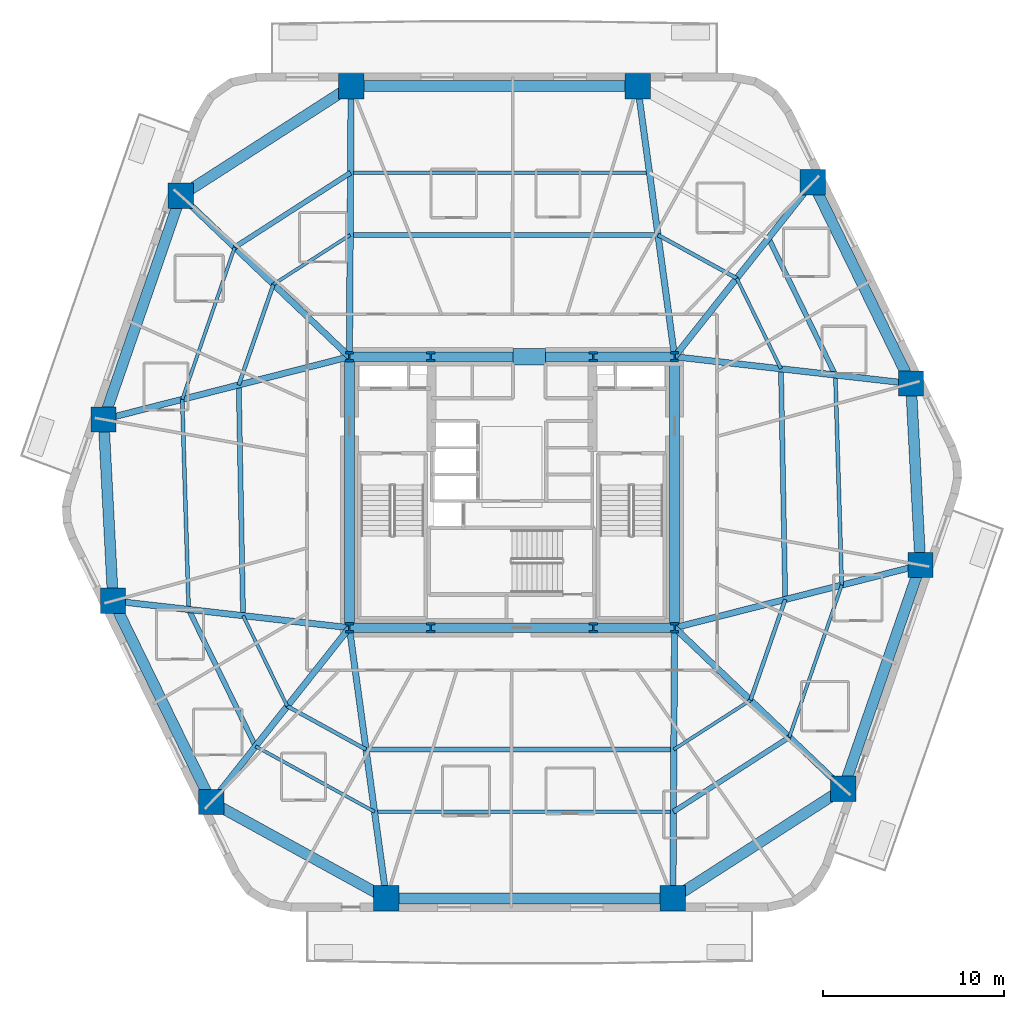
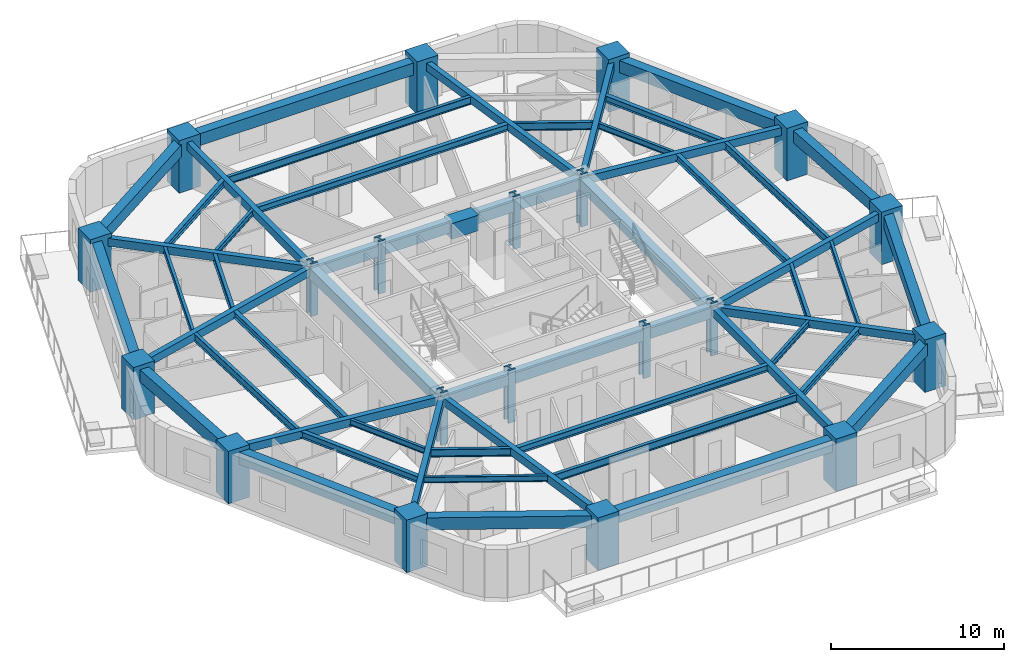
# One storey, part 1 of 11: 55 beams, 20 columns.
"""IFC4 building model written with IfcOpenShell, lengths in metres."""

from ifc_helpers import new_model, si_unit, direction, frame, origin, origin_2d, place, context, subcontext, project, spatial, rectangle, i_section, extrude, material, material_profile, profile_set, type_object, element, save


model = new_model("IFC4")

# Units and contexts
model_context = context("Model", 3, precision=1e-05, world=origin(), true_north=direction((0.0, 1.0)))
body_context = subcontext(model_context, "Body", "Model", "MODEL_VIEW")
ifc_project = project(units=[si_unit("LENGTHUNIT", "METRE"), si_unit("AREAUNIT", "SQUARE_METRE"), si_unit("VOLUMEUNIT", "CUBIC_METRE"), si_unit("PLANEANGLEUNIT", "RADIAN"), si_unit("MASSUNIT", "GRAM", prefix="KILO")], contexts=[model_context])

# Site, building, storey
site_placement = place(None, origin())
site = spatial("IfcSite", under=ifc_project, at=site_placement, CompositionType="ELEMENT")
building_placement = place(site_placement, origin())
building = spatial("IfcBuilding", under=site, at=building_placement, Name="Kilnhurst Terrace Hotel", CompositionType="ELEMENT")
storey_placement = place(building_placement, frame((0.0, 0.0, 41.60009765625)))
storey = spatial("IfcBuildingStorey", under=building, at=storey_placement, Name="L08", CompositionType="ELEMENT", Elevation=41.60009765625)

# Columns
ifc_material_1 = material(Name="Concrete C80/95", Category="concrete")
ifc_material_profile_1 = material_profile(ifc_material_1, rectangle(XDim=1.39990234375, YDim=1.39990234375, at=origin_2d()), Name="RC1400X1400")
ifc_profile_set_1 = profile_set([ifc_material_profile_1], Name="Concrete C80/95")
column_type_1 = type_object("IfcColumnType", Name="COL-RC-1400", PredefinedType="COLUMN", material=ifc_profile_set_1)
for number, where, z_axis, x_axis, name in (
    (1, (-6.955078125, -22.47998046875, 0.0), (0.0, 0.0, 1.0), (1.0, 0.0, 0.0), "L08 Structural Column PC-F11"),
    (2, (8.905029296875, -22.47998046875, 0.0), (0.0, 0.0, 1.0), (1.0, 0.0, 0.0), "L08 Structural Column PC-F12"),
    (3, (18.337890625, -16.410888671875, 0.0), (0.0, 0.0, 1.0), (1.0, 0.0, 0.0), "L08 Structural Column PC-F21"),
    (4, (22.60888671875, -4.029052734375, 0.0), (0.0, 0.0, 1.0), (1.0, 0.0, 0.0), "L08 Structural Column PC-F22"),
    (5, (22.083984375, 6.013916015625, 0.0), (0.0, 0.0, 1.0), (1.0, 0.0, 0.0), "L08 Structural Column PC-F31"),
    (6, (16.64306640625, 17.152099609375, 0.0), (0.0, 0.0, 1.0), (1.0, 0.0, 0.0), "L08 Structural Column PC-F32"),
    (7, (6.955078125, 22.47998046875, 0.0), (0.0, 0.0, 1.0), (1.0, 0.0, 0.0), "L08 Structural Column PC-F41"),
    (8, (-8.905029296875, 22.47998046875, 0.0), (0.0, 0.0, 1.0), (1.0, 0.0, 0.0), "L08 Structural Column PC-F42"),
    (9, (-18.337890625, 16.410888671875, 0.0), (0.0, 0.0, 1.0), (1.0, 0.0, 0.0), "L08 Structural Column PC-F51"),
    (10, (-22.60888671875, 4.029052734375, 0.0), (0.0, 0.0, 1.0), (1.0, 0.0, 0.0), "L08 Structural Column PC-F52"),
    (11, (-22.083984375, -6.013916015625, 0.0), (0.0, 0.0, 1.0), (1.0, 0.0, 0.0), "L08 Structural Column PC-F61"),
    (12, (-16.64306640625, -17.152099609375, 0.0), (0.0, 0.0, 1.0), (1.0, 0.0, 0.0), "L08 Structural Column PC-F62"),
):
    element("IfcColumn", number, at=place(storey_placement, frame(where, z_axis=z_axis, x_axis=x_axis)), inside=storey, type_object=column_type_1, Name=name, PredefinedType="COLUMN", context=body_context, shape_type="SweptSolid", body=[
        extrude(rectangle(XDim=1.39990234375, YDim=1.39990234375, at=origin_2d()), origin(), (0.0, 0.0, 1.0), 3.699951171875),
    ])
ifc_material_2 = material(Name="Steel ASTM A992 Grade 50", Category="steel")
ifc_material_profile_2 = material_profile(ifc_material_2, i_section(OverallWidth=0.454345703125, OverallDepth=0.569091796875, WebThickness=0.077880859375, FlangeThickness=0.124755859375, at=origin_2d()), Name="W14X730")
ifc_profile_set_2 = profile_set([ifc_material_profile_2], Name="Steel ASTM A992 Grade 50")
column_type_2 = type_object("IfcColumnType", Name="COL-STL-W14X730", PredefinedType="COLUMN", material=ifc_profile_set_2)
for number, where, z_axis, x_axis, name in (
    (13, (-9.0, -7.5, 0.0), (0.0, 0.0, 1.0), (1.0, 0.0, 0.0), "L08 Structural Column CC-SW"),
    (14, (-4.5, -7.5, 0.0), (0.0, 0.0, 1.0), (1.0, 0.0, 0.0), "L08 Structural Column CC-SC1"),
    (15, (4.5, -7.5, 0.0), (0.0, 0.0, 1.0), (1.0, 0.0, 0.0), "L08 Structural Column CC-SC2"),
    (16, (9.0, -7.5, 0.0), (0.0, 0.0, 1.0), (1.0, 0.0, 0.0), "L08 Structural Column CC-SE"),
    (17, (9.0, 7.5, 0.0), (0.0, 0.0, 1.0), (1.0, 0.0, 0.0), "L08 Structural Column CC-NE"),
    (18, (4.5, 7.5, 0.0), (0.0, 0.0, 1.0), (1.0, 0.0, 0.0), "L08 Structural Column CC-NC2"),
    (19, (-4.5, 7.5, 0.0), (0.0, 0.0, 1.0), (1.0, 0.0, 0.0), "L08 Structural Column CC-NC1"),
    (20, (-9.0, 7.5, 0.0), (0.0, 0.0, 1.0), (1.0, 0.0, 0.0), "L08 Structural Column CC-NW"),
):
    element("IfcColumn", number, at=place(storey_placement, frame(where, z_axis=z_axis, x_axis=x_axis)), inside=storey, type_object=column_type_2, Name=name, PredefinedType="COLUMN", context=body_context, shape_type="SweptSolid", body=[
        extrude(i_section(OverallWidth=0.454345703125, OverallDepth=0.569091796875, WebThickness=0.077880859375, FlangeThickness=0.124755859375, at=origin_2d()), origin(), (0.0, 0.0, 1.0), 3.699951171875),
    ])

# Beams
ifc_material_3 = material(Name="Concrete C50/60", Category="concrete")
ifc_material_profile_3 = material_profile(ifc_material_3, rectangle(XDim=0.35009765625, YDim=0.550048828125, at=origin_2d()), Name="RC350X550")
ifc_profile_set_3 = profile_set([ifc_material_profile_3], Name="Concrete C50/60")
beam_type_1 = type_object("IfcBeamType", Name="BM-RAD-350X550", PredefinedType="BEAM", material=ifc_profile_set_3)
beam_1_placement = place(storey_placement, frame((-9.0, -7.5, 3.125), z_axis=(0.13525588246, -0.990810701527, 0.0), x_axis=(0.990810701527, 0.13525588246, 0.0)))
element("IfcBeam", 21, at=beam_1_placement, inside=storey, type_object=beam_type_1, Name="L08 Radial Floor Beam 1", PredefinedType="BEAM", context=body_context, shape_type="SweptSolid", body=[
    extrude(rectangle(XDim=0.35009765625, YDim=0.550048828125, at=origin_2d()), origin(), (0.0, 0.0, 1.0), 15.118896484375),
])
beam_2_placement = place(storey_placement, frame((9.0, -7.5, 3.125), z_axis=(-0.006339714179, -0.99997990381, 0.0), x_axis=(0.99997990381, -0.006339714179, 0.0)))
element("IfcBeam", 22, at=beam_2_placement, inside=storey, type_object=beam_type_1, Name="L08 Radial Floor Beam 2", PredefinedType="BEAM", context=body_context, shape_type="SweptSolid", body=[
    extrude(rectangle(XDim=0.35009765625, YDim=0.550048828125, at=origin_2d()), origin(), (0.0, 0.0, 1.0), 14.980224609375),
])
beam_3_placement = place(storey_placement, frame((9.0, -7.5, 3.125), z_axis=(0.723454302813, -0.690372270403, 0.0), x_axis=(0.690372270403, 0.723454302813, 0.0)))
element("IfcBeam", 23, at=beam_3_placement, inside=storey, type_object=beam_type_1, Name="L08 Radial Floor Beam 3", PredefinedType="BEAM", context=body_context, shape_type="SweptSolid", body=[
    extrude(rectangle(XDim=0.35009765625, YDim=0.550048828125, at=origin_2d()), origin(), (0.0, 0.0, 1.0), 12.907470703125),
])
beam_4_placement = place(storey_placement, frame((9.0, -7.5, 3.125), z_axis=(0.968980179812, 0.247138445273, 0.0), x_axis=(-0.247138445273, 0.968980179812, 0.0)))
element("IfcBeam", 24, at=beam_4_placement, inside=storey, type_object=beam_type_1, Name="L08 Radial Floor Beam 4", PredefinedType="BEAM", context=body_context, shape_type="SweptSolid", body=[
    extrude(rectangle(XDim=0.35009765625, YDim=0.550048828125, at=origin_2d()), origin(), (0.0, 0.0, 1.0), 14.04443359375),
])
beam_5_placement = place(storey_placement, frame((9.0, 7.5, 3.125), z_axis=(0.993611493249, -0.112854776075, 0.0), x_axis=(0.112854776075, 0.993611493249, 0.0)))
element("IfcBeam", 25, at=beam_5_placement, inside=storey, type_object=beam_type_1, Name="L08 Radial Floor Beam 5", PredefinedType="BEAM", context=body_context, shape_type="SweptSolid", body=[
    extrude(rectangle(XDim=0.35009765625, YDim=0.550048828125, at=origin_2d()), origin(), (0.0, 0.0, 1.0), 13.168212890625),
])
beam_6_placement = place(storey_placement, frame((9.0, 7.5, 3.125), z_axis=(0.62079385707, 0.783973843329, 0.0), x_axis=(-0.783973843329, 0.62079385707, 0.0)))
element("IfcBeam", 26, at=beam_6_placement, inside=storey, type_object=beam_type_1, Name="L08 Radial Floor Beam 6", PredefinedType="BEAM", context=body_context, shape_type="SweptSolid", body=[
    extrude(rectangle(XDim=0.35009765625, YDim=0.550048828125, at=origin_2d()), origin(), (0.0, 0.0, 1.0), 12.311767578125),
])
beam_7_placement = place(storey_placement, frame((9.0, 7.5, 3.125), z_axis=(-0.13525588246, 0.990810701527, 0.0), x_axis=(-0.990810701527, -0.13525588246, 0.0)))
element("IfcBeam", 27, at=beam_7_placement, inside=storey, type_object=beam_type_1, Name="L08 Radial Floor Beam 7", PredefinedType="BEAM", context=body_context, shape_type="SweptSolid", body=[
    extrude(rectangle(XDim=0.35009765625, YDim=0.550048828125, at=origin_2d()), origin(), (0.0, 0.0, 1.0), 15.118896484375),
])
beam_8_placement = place(storey_placement, frame((-9.0, 7.5, 3.125), z_axis=(0.006339714179, 0.99997990381, 0.0), x_axis=(-0.99997990381, 0.006339714179, 0.0)))
element("IfcBeam", 28, at=beam_8_placement, inside=storey, type_object=beam_type_1, Name="L08 Radial Floor Beam 8", PredefinedType="BEAM", context=body_context, shape_type="SweptSolid", body=[
    extrude(rectangle(XDim=0.35009765625, YDim=0.550048828125, at=origin_2d()), origin(), (0.0, 0.0, 1.0), 14.980224609375),
])
beam_9_placement = place(storey_placement, frame((-9.0, 7.5, 3.125), z_axis=(-0.723454302813, 0.690372270403, 0.0), x_axis=(-0.690372270403, -0.723454302813, 0.0)))
element("IfcBeam", 29, at=beam_9_placement, inside=storey, type_object=beam_type_1, Name="L08 Radial Floor Beam 9", PredefinedType="BEAM", context=body_context, shape_type="SweptSolid", body=[
    extrude(rectangle(XDim=0.35009765625, YDim=0.550048828125, at=origin_2d()), origin(), (0.0, 0.0, 1.0), 12.907470703125),
])
beam_10_placement = place(storey_placement, frame((-9.0, 7.5, 3.125), z_axis=(-0.968980179812, -0.247138445273, 0.0), x_axis=(0.247138445273, -0.968980179812, 0.0)))
element("IfcBeam", 30, at=beam_10_placement, inside=storey, type_object=beam_type_1, Name="L08 Radial Floor Beam 10", PredefinedType="BEAM", context=body_context, shape_type="SweptSolid", body=[
    extrude(rectangle(XDim=0.35009765625, YDim=0.550048828125, at=origin_2d()), origin(), (0.0, 0.0, 1.0), 14.04443359375),
])
beam_11_placement = place(storey_placement, frame((-9.0, -7.5, 3.125), z_axis=(-0.993611493249, 0.112854776075, 0.0), x_axis=(-0.112854776075, -0.993611493249, 0.0)))
element("IfcBeam", 31, at=beam_11_placement, inside=storey, type_object=beam_type_1, Name="L08 Radial Floor Beam 11", PredefinedType="BEAM", context=body_context, shape_type="SweptSolid", body=[
    extrude(rectangle(XDim=0.35009765625, YDim=0.550048828125, at=origin_2d()), origin(), (0.0, 0.0, 1.0), 13.168212890625),
])
beam_12_placement = place(storey_placement, frame((-9.0, -7.5, 3.125), z_axis=(-0.62079385707, -0.783973843329, 0.0), x_axis=(0.783973843329, -0.62079385707, 0.0)))
element("IfcBeam", 32, at=beam_12_placement, inside=storey, type_object=beam_type_1, Name="L08 Radial Floor Beam 12", PredefinedType="BEAM", context=body_context, shape_type="SweptSolid", body=[
    extrude(rectangle(XDim=0.35009765625, YDim=0.550048828125, at=origin_2d()), origin(), (0.0, 0.0, 1.0), 12.311767578125),
])
ifc_material_profile_4 = material_profile(ifc_material_3, rectangle(XDim=0.550048828125, YDim=0.75, at=origin_2d()), Name="RC550X750")
ifc_profile_set_4 = profile_set([ifc_material_profile_4], Name="Concrete C50/60")
beam_type_2 = type_object("IfcBeamType", Name="BM-SPN-550X750", PredefinedType="SPANDREL", material=ifc_profile_set_4)
beam_13_placement = place(storey_placement, frame((-9.0, 7.5, 3.02490234375), z_axis=(1.0, 0.0, 0.0), x_axis=(0.0, 1.0, 0.0)))
element("IfcBeam", 33, at=beam_13_placement, inside=storey, type_object=beam_type_2, Name="L08 Core Tie Beam CC-NW to CC-NC1", PredefinedType="SPANDREL", context=body_context, shape_type="SweptSolid", body=[
    extrude(rectangle(XDim=0.550048828125, YDim=0.75, at=origin_2d()), origin(), (0.0, 0.0, 1.0), 4.5),
])
beam_14_placement = place(storey_placement, frame((-4.5, 7.5, 3.02490234375), z_axis=(1.0, 0.0, 0.0), x_axis=(0.0, 1.0, 0.0)))
element("IfcBeam", 34, at=beam_14_placement, inside=storey, type_object=beam_type_2, Name="L08 Core Tie Beam CC-NC1 to CC-NC2", PredefinedType="SPANDREL", context=body_context, shape_type="SweptSolid", body=[
    extrude(rectangle(XDim=0.550048828125, YDim=0.75, at=origin_2d()), origin(), (0.0, 0.0, 1.0), 9.0),
])
for number, where, z_axis, x_axis, name in (
    (35, (4.5, 7.5, 3.02490234375), (1.0, 0.0, 0.0), (0.0, 1.0, 0.0), "L08 Core Tie Beam CC-NC2 to CC-NE"),
    (36, (-9.0, -7.5, 3.02490234375), (1.0, 0.0, 0.0), (0.0, 1.0, 0.0), "L08 Core Tie Beam CC-SW to CC-SC1"),
):
    element("IfcBeam", number, at=place(storey_placement, frame(where, z_axis=z_axis, x_axis=x_axis)), inside=storey, type_object=beam_type_2, Name=name, PredefinedType="SPANDREL", context=body_context, shape_type="SweptSolid", body=[
        extrude(rectangle(XDim=0.550048828125, YDim=0.75, at=origin_2d()), origin(), (0.0, 0.0, 1.0), 4.5),
    ])
beam_15_placement = place(storey_placement, frame((-4.5, -7.5, 3.02490234375), z_axis=(1.0, 0.0, 0.0), x_axis=(0.0, 1.0, 0.0)))
element("IfcBeam", 37, at=beam_15_placement, inside=storey, type_object=beam_type_2, Name="L08 Core Tie Beam CC-SC1 to CC-SC2", PredefinedType="SPANDREL", context=body_context, shape_type="SweptSolid", body=[
    extrude(rectangle(XDim=0.550048828125, YDim=0.75, at=origin_2d()), origin(), (0.0, 0.0, 1.0), 9.0),
])
beam_16_placement = place(storey_placement, frame((4.5, -7.5, 3.02490234375), z_axis=(1.0, 0.0, 0.0), x_axis=(0.0, 1.0, 0.0)))
element("IfcBeam", 38, at=beam_16_placement, inside=storey, type_object=beam_type_2, Name="L08 Core Tie Beam CC-SC2 to CC-SE", PredefinedType="SPANDREL", context=body_context, shape_type="SweptSolid", body=[
    extrude(rectangle(XDim=0.550048828125, YDim=0.75, at=origin_2d()), origin(), (0.0, 0.0, 1.0), 4.5),
])
for number, where, z_axis, x_axis, name in (
    (39, (-9.0, -7.5, 3.02490234375), (0.0, 1.0, 0.0), (-1.0, 0.0, 0.0), "L08 Core Tie Beam CC-SW to CC-NW"),
    (40, (9.0, -7.5, 3.02490234375), (0.0, 1.0, 0.0), (-1.0, 0.0, 0.0), "L08 Core Tie Beam CC-SE to CC-NE"),
):
    element("IfcBeam", number, at=place(storey_placement, frame(where, z_axis=z_axis, x_axis=x_axis)), inside=storey, type_object=beam_type_2, Name=name, PredefinedType="SPANDREL", context=body_context, shape_type="SweptSolid", body=[
        extrude(rectangle(XDim=0.550048828125, YDim=0.75, at=origin_2d()), origin(), (0.0, 0.0, 1.0), 15.0),
    ])
ifc_material_profile_5 = material_profile(ifc_material_3, rectangle(XDim=0.60009765625, YDim=0.85009765625, at=origin_2d()), Name="RC600X850")
ifc_profile_set_5 = profile_set([ifc_material_profile_5], Name="Concrete C50/60")
beam_type_3 = type_object("IfcBeamType", Name="BM-SPN-600X850", PredefinedType="SPANDREL", material=ifc_profile_set_5)
beam_17_placement = place(storey_placement, frame((-6.955078125, -22.47998046875, 2.974853515625), z_axis=(1.0, 0.0, 0.0), x_axis=(0.0, 1.0, 0.0)))
element("IfcBeam", 41, at=beam_17_placement, inside=storey, type_object=beam_type_3, Name="L08 Perimeter Spandrel Beam 1", PredefinedType="SPANDREL", context=body_context, shape_type="SweptSolid", body=[
    extrude(rectangle(XDim=0.60009765625, YDim=0.85009765625, at=origin_2d()), origin(), (0.0, 0.0, 1.0), 15.860107421875),
])
beam_18_placement = place(storey_placement, frame((8.905029296875, -22.47998046875, 2.974853515625), z_axis=(0.840971204873, 0.541079876335, 0.0), x_axis=(-0.541079876335, 0.840971204873, 0.0)))
element("IfcBeam", 42, at=beam_18_placement, inside=storey, type_object=beam_type_3, Name="L08 Perimeter Spandrel Beam 2", PredefinedType="SPANDREL", context=body_context, shape_type="SweptSolid", body=[
    extrude(rectangle(XDim=0.60009765625, YDim=0.85009765625, at=origin_2d()), origin(), (0.0, 0.0, 1.0), 11.216552734375),
])
beam_19_placement = place(storey_placement, frame((18.337890625, -16.410888671875, 2.974853515625), z_axis=(0.326086040191, 0.945340094565, 0.0), x_axis=(-0.945340094565, 0.326086040191, 0.0)))
element("IfcBeam", 43, at=beam_19_placement, inside=storey, type_object=beam_type_3, Name="L08 Perimeter Spandrel Beam 3", PredefinedType="SPANDREL", context=body_context, shape_type="SweptSolid", body=[
    extrude(rectangle(XDim=0.60009765625, YDim=0.85009765625, at=origin_2d()), origin(), (0.0, 0.0, 1.0), 13.09765625),
])
beam_20_placement = place(storey_placement, frame((22.60888671875, -4.029052734375, 2.974853515625), z_axis=(-0.052194414298, 0.998636942595, 0.0), x_axis=(-0.998636942595, -0.052194414298, 0.0)))
element("IfcBeam", 44, at=beam_20_placement, inside=storey, type_object=beam_type_3, Name="L08 Perimeter Spandrel Beam 4", PredefinedType="SPANDREL", context=body_context, shape_type="SweptSolid", body=[
    extrude(rectangle(XDim=0.60009765625, YDim=0.85009765625, at=origin_2d()), origin(), (0.0, 0.0, 1.0), 10.056640625),
])
beam_21_placement = place(storey_placement, frame((22.083984375, 6.013916015625, 2.974853515625), z_axis=(-0.438922573627, 0.898524888003, 0.0), x_axis=(-0.898524888003, -0.438922573627, 0.0)))
element("IfcBeam", 45, at=beam_21_placement, inside=storey, type_object=beam_type_3, Name="L08 Perimeter Spandrel Beam 5", PredefinedType="SPANDREL", context=body_context, shape_type="SweptSolid", body=[
    extrude(rectangle(XDim=0.60009765625, YDim=0.85009765625, at=origin_2d()), origin(), (0.0, 0.0, 1.0), 12.39599609375),
])
beam_22_placement = place(storey_placement, frame((6.955078125, 22.47998046875, 2.974853515625), z_axis=(-1.0, 0.0, 0.0), x_axis=(0.0, -1.0, 0.0)))
element("IfcBeam", 46, at=beam_22_placement, inside=storey, type_object=beam_type_3, Name="L08 Perimeter Spandrel Beam 7", PredefinedType="SPANDREL", context=body_context, shape_type="SweptSolid", body=[
    extrude(rectangle(XDim=0.60009765625, YDim=0.85009765625, at=origin_2d()), origin(), (0.0, 0.0, 1.0), 15.860107421875),
])
beam_23_placement = place(storey_placement, frame((-8.905029296875, 22.47998046875, 2.974853515625), z_axis=(-0.840971204873, -0.541079876335, 0.0), x_axis=(0.541079876335, -0.840971204873, 0.0)))
element("IfcBeam", 47, at=beam_23_placement, inside=storey, type_object=beam_type_3, Name="L08 Perimeter Spandrel Beam 8", PredefinedType="SPANDREL", context=body_context, shape_type="SweptSolid", body=[
    extrude(rectangle(XDim=0.60009765625, YDim=0.85009765625, at=origin_2d()), origin(), (0.0, 0.0, 1.0), 11.216552734375),
])
beam_24_placement = place(storey_placement, frame((-18.337890625, 16.410888671875, 2.974853515625), z_axis=(-0.326086040191, -0.945340094565, 0.0), x_axis=(0.945340094565, -0.326086040191, 0.0)))
element("IfcBeam", 48, at=beam_24_placement, inside=storey, type_object=beam_type_3, Name="L08 Perimeter Spandrel Beam 9", PredefinedType="SPANDREL", context=body_context, shape_type="SweptSolid", body=[
    extrude(rectangle(XDim=0.60009765625, YDim=0.85009765625, at=origin_2d()), origin(), (0.0, 0.0, 1.0), 13.09765625),
])
beam_25_placement = place(storey_placement, frame((-22.60888671875, 4.029052734375, 2.974853515625), z_axis=(0.052194414298, -0.998636942595, 0.0), x_axis=(0.998636942595, 0.052194414298, 0.0)))
element("IfcBeam", 49, at=beam_25_placement, inside=storey, type_object=beam_type_3, Name="L08 Perimeter Spandrel Beam 10", PredefinedType="SPANDREL", context=body_context, shape_type="SweptSolid", body=[
    extrude(rectangle(XDim=0.60009765625, YDim=0.85009765625, at=origin_2d()), origin(), (0.0, 0.0, 1.0), 10.056640625),
])
beam_26_placement = place(storey_placement, frame((-22.083984375, -6.013916015625, 2.974853515625), z_axis=(0.438922573627, -0.898524888003, 0.0), x_axis=(0.898524888003, 0.438922573627, 0.0)))
element("IfcBeam", 50, at=beam_26_placement, inside=storey, type_object=beam_type_3, Name="L08 Perimeter Spandrel Beam 11", PredefinedType="SPANDREL", context=body_context, shape_type="SweptSolid", body=[
    extrude(rectangle(XDim=0.60009765625, YDim=0.85009765625, at=origin_2d()), origin(), (0.0, 0.0, 1.0), 12.39599609375),
])
beam_27_placement = place(storey_placement, frame((-16.64306640625, -17.152099609375, 2.974853515625), z_axis=(0.876235488803, -0.481883147829, 0.0), x_axis=(0.481883147829, 0.876235488803, 0.0)))
element("IfcBeam", 51, at=beam_27_placement, inside=storey, type_object=beam_type_3, Name="L08 Perimeter Spandrel Beam 12", PredefinedType="SPANDREL", context=body_context, shape_type="SweptSolid", body=[
    extrude(rectangle(XDim=0.60009765625, YDim=0.85009765625, at=origin_2d()), origin(), (0.0, 0.0, 1.0), 11.056396484375),
])
ifc_material_profile_6 = material_profile(ifc_material_2, i_section(OverallWidth=0.180908203125, OverallDepth=0.417236328125, WebThickness=0.010986328125, FlangeThickness=0.018310546875, at=origin_2d()), Name="W16X57")
ifc_profile_set_6 = profile_set([ifc_material_profile_6], Name="Steel ASTM A992 Grade 50")
beam_type_4 = type_object("IfcBeamType", Name="JST-STL-W16X57", PredefinedType="JOIST", material=ifc_profile_set_6)
for number, where, z_axis, x_axis, name in (
    (52, (15.349853515625, -13.5595703125, 3.19091796875), (0.326078536201, 0.945342682961, 0.0), (-0.945342682961, 0.326078536201, 0.0), "L08 Secondary Floor Steel Joist OUT.3"),
    (53, (-15.349853515625, 13.5595703125, 3.19091796875), (-0.326078536201, -0.945342682961, 0.0), (0.945342682961, -0.326078536201, 0.0), "L08 Secondary Floor Steel Joist OUT.9"),
):
    element("IfcBeam", number, at=place(storey_placement, frame(where, z_axis=z_axis, x_axis=x_axis)), inside=storey, type_object=beam_type_4, Name=name, PredefinedType="JOIST", context=body_context, shape_type="SweptSolid", body=[
        extrude(i_section(OverallWidth=0.180908203125, OverallDepth=0.417236328125, WebThickness=0.010986328125, FlangeThickness=0.018310546875, at=origin_2d()), origin(), (0.0, 0.0, 1.0), 8.90673828125),
    ])
beam_28_placement = place(storey_placement, frame((-14.197265625, -14.0634765625, 3.19091796875), z_axis=(0.876246073632, -0.481863900334, 0.0), x_axis=(0.481863900334, 0.876246073632, 0.0)))
element("IfcBeam", 54, at=beam_28_placement, inside=storey, type_object=beam_type_4, Name="L08 Secondary Floor Steel Joist OUT.12", PredefinedType="JOIST", context=body_context, shape_type="SweptSolid", body=[
    extrude(i_section(OverallWidth=0.180908203125, OverallDepth=0.417236328125, WebThickness=0.010986328125, FlangeThickness=0.018310546875, at=origin_2d()), origin(), (0.0, 0.0, 1.0), 7.518310546875),
])
beam_29_placement = place(storey_placement, frame((8.957275390625, -14.240966796875, 3.19091796875), z_axis=(0.840988265896, 0.541053358389, 0.0), x_axis=(-0.541053358389, 0.840988265896, 0.0)))
element("IfcBeam", 55, at=beam_29_placement, inside=storey, type_object=beam_type_4, Name="L08 Secondary Floor Steel Joist IN.2", PredefinedType="JOIST", context=body_context, shape_type="SweptSolid", body=[
    extrude(i_section(OverallWidth=0.180908203125, OverallDepth=0.417236328125, WebThickness=0.010986328125, FlangeThickness=0.018310546875, at=origin_2d()), origin(), (0.0, 0.0, 1.0), 5.04736328125),
])
beam_30_placement = place(storey_placement, frame((14.8876953125, 6.831298828125, 3.19091796875), z_axis=(-0.438896112695, 0.898537813484, 0.0), x_axis=(-0.898537813484, -0.438896112695, 0.0)))
element("IfcBeam", 56, at=beam_30_placement, inside=storey, type_object=beam_type_4, Name="L08 Secondary Floor Steel Joist IN.5", PredefinedType="JOIST", context=body_context, shape_type="SweptSolid", body=[
    extrude(i_section(OverallWidth=0.180908203125, OverallDepth=0.417236328125, WebThickness=0.010986328125, FlangeThickness=0.018310546875, at=origin_2d()), origin(), (0.0, 0.0, 1.0), 5.578125),
])
beam_31_placement = place(storey_placement, frame((-8.957275390625, 14.240966796875, 3.19091796875), z_axis=(-0.840988265896, -0.541053358389, 0.0), x_axis=(0.541053358389, -0.840988265896, 0.0)))
element("IfcBeam", 57, at=beam_31_placement, inside=storey, type_object=beam_type_4, Name="L08 Secondary Floor Steel Joist IN.8", PredefinedType="JOIST", context=body_context, shape_type="SweptSolid", body=[
    extrude(i_section(OverallWidth=0.180908203125, OverallDepth=0.417236328125, WebThickness=0.010986328125, FlangeThickness=0.018310546875, at=origin_2d()), origin(), (0.0, 0.0, 1.0), 5.04736328125),
])
beam_32_placement = place(storey_placement, frame((-14.8876953125, -6.831298828125, 3.19091796875), z_axis=(0.438896112695, -0.898537813484, 0.0), x_axis=(0.898537813484, 0.438896112695, 0.0)))
element("IfcBeam", 58, at=beam_32_placement, inside=storey, type_object=beam_type_4, Name="L08 Secondary Floor Steel Joist IN.11", PredefinedType="JOIST", context=body_context, shape_type="SweptSolid", body=[
    extrude(i_section(OverallWidth=0.180908203125, OverallDepth=0.417236328125, WebThickness=0.010986328125, FlangeThickness=0.018310546875, at=origin_2d()), origin(), (0.0, 0.0, 1.0), 5.578125),
])
ifc_material_profile_7 = material_profile(ifc_material_2, i_section(OverallWidth=0.279296875, OverallDepth=0.462890625, WebThickness=0.0107421875, FlangeThickness=0.017333984375, at=origin_2d()), Name="W18X76")
ifc_profile_set_7 = profile_set([ifc_material_profile_7], Name="Steel ASTM A992 Grade 50")
beam_type_5 = type_object("IfcBeamType", Name="JST-STL-W18X76", PredefinedType="JOIST", material=ifc_profile_set_7)
beam_33_placement = place(storey_placement, frame((8.935302734375, -17.686279296875, 3.16796875), z_axis=(0.840995388529, 0.54104228714, 0.0), x_axis=(-0.54104228714, 0.840995388529, 0.0)))
element("IfcBeam", 59, at=beam_33_placement, inside=storey, type_object=beam_type_5, Name="L08 Secondary Floor Steel Joist OUT.2", PredefinedType="JOIST", context=body_context, shape_type="SweptSolid", body=[
    extrude(i_section(OverallWidth=0.279296875, OverallDepth=0.462890625, WebThickness=0.0107421875, FlangeThickness=0.017333984375, at=origin_2d()), origin(), (0.0, 0.0, 1.0), 7.62744140625),
])
beam_34_placement = place(storey_placement, frame((17.897216796875, 6.489501953125, 3.16796875), z_axis=(-0.438934275949, 0.898519171413, 0.0), x_axis=(-0.898519171413, -0.438934275949, 0.0)))
element("IfcBeam", 60, at=beam_34_placement, inside=storey, type_object=beam_type_5, Name="L08 Secondary Floor Steel Joist OUT.5", PredefinedType="JOIST", context=body_context, shape_type="SweptSolid", body=[
    extrude(i_section(OverallWidth=0.279296875, OverallDepth=0.462890625, WebThickness=0.0107421875, FlangeThickness=0.017333984375, at=origin_2d()), origin(), (0.0, 0.0, 1.0), 8.429443359375),
])
beam_35_placement = place(storey_placement, frame((-8.935302734375, 17.686279296875, 3.16796875), z_axis=(-0.840995388529, -0.54104228714, 0.0), x_axis=(0.54104228714, -0.840995388529, 0.0)))
element("IfcBeam", 61, at=beam_35_placement, inside=storey, type_object=beam_type_5, Name="L08 Secondary Floor Steel Joist OUT.8", PredefinedType="JOIST", context=body_context, shape_type="SweptSolid", body=[
    extrude(i_section(OverallWidth=0.279296875, OverallDepth=0.462890625, WebThickness=0.0107421875, FlangeThickness=0.017333984375, at=origin_2d()), origin(), (0.0, 0.0, 1.0), 7.62744140625),
])
beam_36_placement = place(storey_placement, frame((-17.897216796875, -6.489501953125, 3.16796875), z_axis=(0.438934275949, -0.898519171413, 0.0), x_axis=(0.898519171413, 0.438934275949, 0.0)))
element("IfcBeam", 62, at=beam_36_placement, inside=storey, type_object=beam_type_5, Name="L08 Secondary Floor Steel Joist OUT.11", PredefinedType="JOIST", context=body_context, shape_type="SweptSolid", body=[
    extrude(i_section(OverallWidth=0.279296875, OverallDepth=0.462890625, WebThickness=0.0107421875, FlangeThickness=0.017333984375, at=origin_2d()), origin(), (0.0, 0.0, 1.0), 8.429443359375),
])
beam_37_placement = place(storey_placement, frame((-8.079833984375, -14.240966796875, 3.16796875), z_axis=(1.0, 0.0, 0.0), x_axis=(0.0, 1.0, 0.0)))
element("IfcBeam", 63, at=beam_37_placement, inside=storey, type_object=beam_type_5, Name="L08 Secondary Floor Steel Joist IN.1", PredefinedType="JOIST", context=body_context, shape_type="SweptSolid", body=[
    extrude(i_section(OverallWidth=0.279296875, OverallDepth=0.462890625, WebThickness=0.0107421875, FlangeThickness=0.017333984375, at=origin_2d()), origin(), (0.0, 0.0, 1.0), 17.037109375),
])
beam_38_placement = place(storey_placement, frame((15.1240234375, -5.93798828125, 3.16796875), z_axis=(-0.018504373716, 0.999828779418, 0.0), x_axis=(-0.999828779418, -0.018504373716, 0.0)))
element("IfcBeam", 64, at=beam_38_placement, inside=storey, type_object=beam_type_5, Name="L08 Secondary Floor Steel Joist IN.4", PredefinedType="JOIST", context=body_context, shape_type="SweptSolid", body=[
    extrude(i_section(OverallWidth=0.279296875, OverallDepth=0.462890625, WebThickness=0.0107421875, FlangeThickness=0.017333984375, at=origin_2d()), origin(), (0.0, 0.0, 1.0), 12.771484375),
])
beam_39_placement = place(storey_placement, frame((8.079833984375, 14.240966796875, 3.16796875), z_axis=(-1.0, 0.0, 0.0), x_axis=(0.0, -1.0, 0.0)))
element("IfcBeam", 65, at=beam_39_placement, inside=storey, type_object=beam_type_5, Name="L08 Secondary Floor Steel Joist IN.7", PredefinedType="JOIST", context=body_context, shape_type="SweptSolid", body=[
    extrude(i_section(OverallWidth=0.279296875, OverallDepth=0.462890625, WebThickness=0.0107421875, FlangeThickness=0.017333984375, at=origin_2d()), origin(), (0.0, 0.0, 1.0), 17.037109375),
])
beam_40_placement = place(storey_placement, frame((-15.1240234375, 5.93798828125, 3.16796875), z_axis=(0.018504373716, -0.999828779418, 0.0), x_axis=(0.999828779418, 0.018504373716, 0.0)))
element("IfcBeam", 66, at=beam_40_placement, inside=storey, type_object=beam_type_5, Name="L08 Secondary Floor Steel Joist IN.10", PredefinedType="JOIST", context=body_context, shape_type="SweptSolid", body=[
    extrude(i_section(OverallWidth=0.279296875, OverallDepth=0.462890625, WebThickness=0.0107421875, FlangeThickness=0.017333984375, at=origin_2d()), origin(), (0.0, 0.0, 1.0), 12.771484375),
])
ifc_material_profile_8 = material_profile(ifc_material_2, i_section(OverallWidth=0.2138671875, OverallDepth=0.549072265625, WebThickness=0.0146484375, FlangeThickness=0.023681640625, at=origin_2d()), Name="W21X93")
ifc_profile_set_8 = profile_set([ifc_material_profile_8], Name="Steel ASTM A992 Grade 50")
beam_type_6 = type_object("IfcBeamType", Name="JST-STL-W21X93", PredefinedType="JOIST", material=ifc_profile_set_8)
beam_41_placement = place(storey_placement, frame((-7.609375, -17.686279296875, 3.125), z_axis=(1.0, 0.0, 0.0), x_axis=(0.0, 1.0, 0.0)))
element("IfcBeam", 67, at=beam_41_placement, inside=storey, type_object=beam_type_6, Name="L08 Secondary Floor Steel Joist OUT.1", PredefinedType="JOIST", context=body_context, shape_type="SweptSolid", body=[
    extrude(i_section(OverallWidth=0.2138671875, OverallDepth=0.549072265625, WebThickness=0.0146484375, FlangeThickness=0.023681640625, at=origin_2d()), origin(), (0.0, 0.0, 1.0), 16.544677734375),
])
beam_42_placement = place(storey_placement, frame((18.254150390625, -5.1396484375, 3.125), z_axis=(-0.030678559818, 0.999529302206, 0.0), x_axis=(-0.999529302206, -0.030678559818, 0.0)))
element("IfcBeam", 68, at=beam_42_placement, inside=storey, type_object=beam_type_6, Name="L08 Secondary Floor Steel Joist OUT.4", PredefinedType="JOIST", context=body_context, shape_type="SweptSolid", body=[
    extrude(i_section(OverallWidth=0.2138671875, OverallDepth=0.549072265625, WebThickness=0.0146484375, FlangeThickness=0.023681640625, at=origin_2d()), origin(), (0.0, 0.0, 1.0), 11.634521484375),
])
beam_43_placement = place(storey_placement, frame((7.609375, 17.686279296875, 3.125), z_axis=(-1.0, 0.0, 0.0), x_axis=(0.0, -1.0, 0.0)))
element("IfcBeam", 69, at=beam_43_placement, inside=storey, type_object=beam_type_6, Name="L08 Secondary Floor Steel Joist OUT.7", PredefinedType="JOIST", context=body_context, shape_type="SweptSolid", body=[
    extrude(i_section(OverallWidth=0.2138671875, OverallDepth=0.549072265625, WebThickness=0.0146484375, FlangeThickness=0.023681640625, at=origin_2d()), origin(), (0.0, 0.0, 1.0), 16.544677734375),
])
beam_44_placement = place(storey_placement, frame((-18.254150390625, 5.1396484375, 3.125), z_axis=(0.030678559818, -0.999529302206, 0.0), x_axis=(0.999529302206, 0.030678559818, 0.0)))
element("IfcBeam", 70, at=beam_44_placement, inside=storey, type_object=beam_type_6, Name="L08 Secondary Floor Steel Joist OUT.10", PredefinedType="JOIST", context=body_context, shape_type="SweptSolid", body=[
    extrude(i_section(OverallWidth=0.2138671875, OverallDepth=0.549072265625, WebThickness=0.0146484375, FlangeThickness=0.023681640625, at=origin_2d()), origin(), (0.0, 0.0, 1.0), 11.634521484375),
])
beam_45_placement = place(storey_placement, frame((13.2021484375, -11.510009765625, 3.125), z_axis=(0.326064720391, 0.945347448358, 0.0), x_axis=(-0.945347448358, 0.326064720391, 0.0)))
element("IfcBeam", 71, at=beam_45_placement, inside=storey, type_object=beam_type_6, Name="L08 Secondary Floor Steel Joist IN.3", PredefinedType="JOIST", context=body_context, shape_type="SweptSolid", body=[
    extrude(i_section(OverallWidth=0.2138671875, OverallDepth=0.549072265625, WebThickness=0.0146484375, FlangeThickness=0.023681640625, at=origin_2d()), origin(), (0.0, 0.0, 1.0), 5.89404296875),
])
beam_46_placement = place(storey_placement, frame((12.439453125, 11.843505859375, 3.125), z_axis=(-0.876243879955, 0.481867889408, 0.0), x_axis=(-0.481867889408, -0.876243879955, 0.0)))
element("IfcBeam", 72, at=beam_46_placement, inside=storey, type_object=beam_type_6, Name="L08 Secondary Floor Steel Joist IN.6", PredefinedType="JOIST", context=body_context, shape_type="SweptSolid", body=[
    extrude(i_section(OverallWidth=0.2138671875, OverallDepth=0.549072265625, WebThickness=0.0146484375, FlangeThickness=0.023681640625, at=origin_2d()), origin(), (0.0, 0.0, 1.0), 4.975341796875),
])
beam_47_placement = place(storey_placement, frame((-13.2021484375, 11.510009765625, 3.125), z_axis=(-0.326064720391, -0.945347448358, 0.0), x_axis=(0.945347448358, -0.326064720391, 0.0)))
element("IfcBeam", 73, at=beam_47_placement, inside=storey, type_object=beam_type_6, Name="L08 Secondary Floor Steel Joist IN.9", PredefinedType="JOIST", context=body_context, shape_type="SweptSolid", body=[
    extrude(i_section(OverallWidth=0.2138671875, OverallDepth=0.549072265625, WebThickness=0.0146484375, FlangeThickness=0.023681640625, at=origin_2d()), origin(), (0.0, 0.0, 1.0), 5.89404296875),
])
beam_48_placement = place(storey_placement, frame((-12.439453125, -11.843505859375, 3.125), z_axis=(0.876243879955, -0.481867889408, 0.0), x_axis=(0.481867889408, 0.876243879955, 0.0)))
element("IfcBeam", 74, at=beam_48_placement, inside=storey, type_object=beam_type_6, Name="L08 Secondary Floor Steel Joist IN.12", PredefinedType="JOIST", context=body_context, shape_type="SweptSolid", body=[
    extrude(i_section(OverallWidth=0.2138671875, OverallDepth=0.549072265625, WebThickness=0.0146484375, FlangeThickness=0.023681640625, at=origin_2d()), origin(), (0.0, 0.0, 1.0), 4.975341796875),
])
ifc_material_profile_9 = material_profile(ifc_material_1, rectangle(XDim=0.89990234375, YDim=1.10009765625, at=origin_2d()), Name="RC900X1100")
ifc_profile_set_9 = profile_set([ifc_material_profile_9], Name="Concrete C80/95")
beam_type_7 = type_object("IfcBeamType", Name="LNT-CB-900X1100", PredefinedType="LINTEL", material=ifc_profile_set_9)
beam_49_placement = place(storey_placement, frame((0.050048828125, 7.5, 2.849853515625), z_axis=(1.0, 0.0, 0.0), x_axis=(0.0, 1.0, 0.0)))
element("IfcBeam", 75, at=beam_49_placement, inside=storey, type_object=beam_type_7, Name="L08 North Core Coupling Link Beam", PredefinedType="LINTEL", context=body_context, shape_type="SweptSolid", body=[
    extrude(rectangle(XDim=0.89990234375, YDim=1.10009765625, at=origin_2d()), origin(), (0.0, 0.0, 1.0), 1.800048828125),
])

save(model, "model.ifc")
